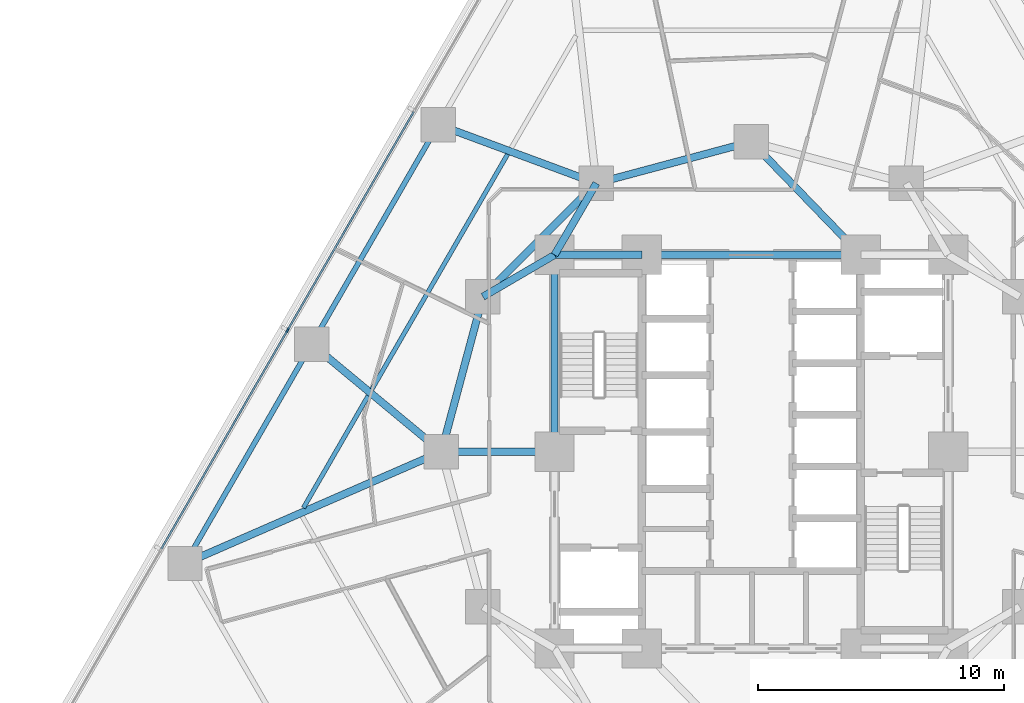
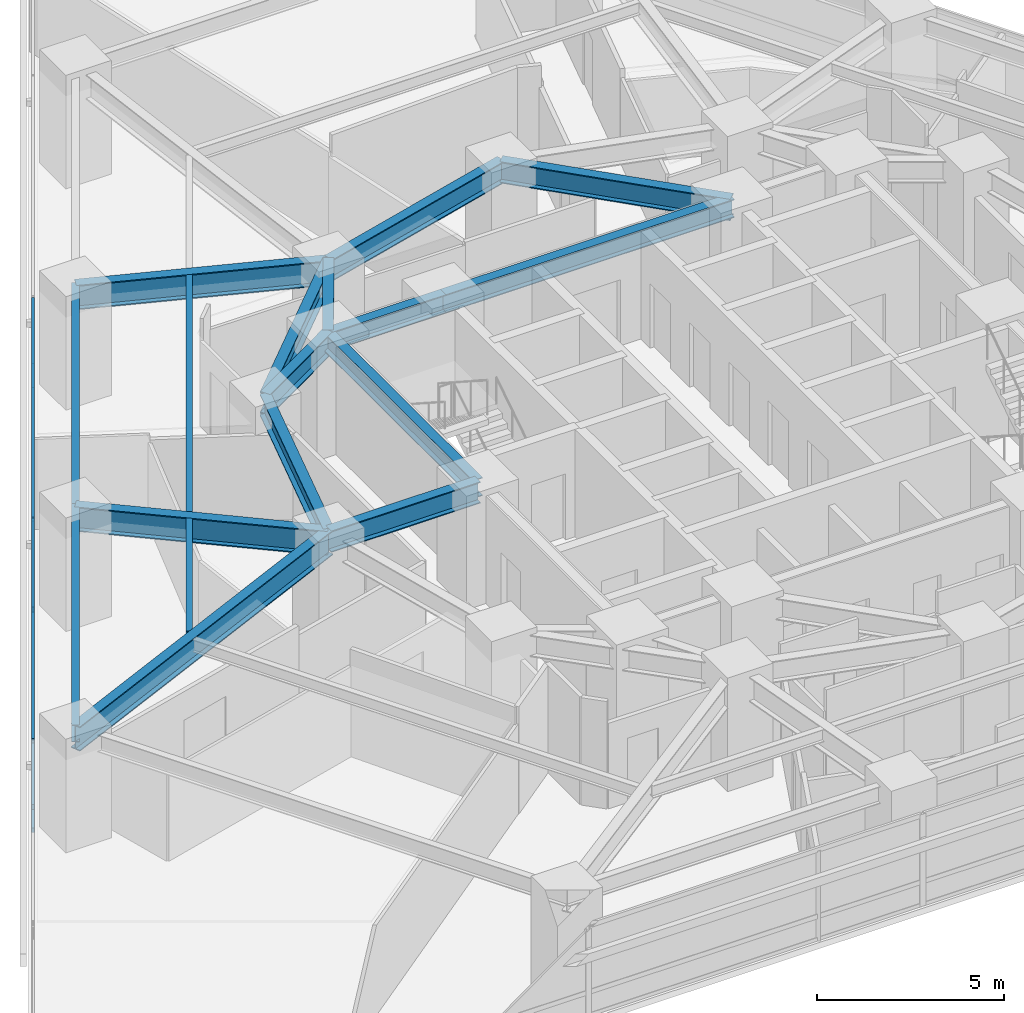
# One storey, part 3 of 15: 17 beams, 7 members, 1 element without a shape of its own.
"""IFC4 building model written with IfcOpenShell, lengths in metres."""

import ifcopenshell
import ifcopenshell.guid

model = None  # the IFC model being written
_history = None  # IfcOwnerHistory: only IFC2X3 demands one
_inside = {}  # id of a spatial element -> (the spatial element, [elements in it])
_under = {}  # id of a project, library or spatial element -> (it, [spatial elements below it])
_declared = {}  # id of a project -> (the project, [libraries it declares])
_typed = {}  # id of a type object -> (the type object, [elements of that type])
_made_of = {}  # id of a material, layer set ... -> (it, [elements and type objects made of it])


def new_model(schema):
    """Start an empty IFC model of exactly this schema.

    Asked for "IFC4X3", IfcOpenShell would pick the latest addendum, in which some entities
    have other attributes; the version numbers below select the first issue.
    IFC2X3 requires an IfcOwnerHistory on every rooted entity: one is made here for all.
    """
    global model, _history
    if schema == "IFC4X3":
        model = ifcopenshell.file(schema_version=(4, 3, 0, 0))
    else:
        model = ifcopenshell.file(schema=schema)
    _inside.clear()
    _under.clear()
    _declared.clear()
    _typed.clear()
    _made_of.clear()
    _history = None
    if model.schema == "IFC2X3":
        org = make("IfcOrganization", Name="unknown")
        user = make(
            "IfcPersonAndOrganization",
            ThePerson=make("IfcPerson", FamilyName="unknown"),
            TheOrganization=org,
        )
        app = make(
            "IfcApplication",
            ApplicationDeveloper=org,
            Version="unknown",
            ApplicationFullName="unknown",
            ApplicationIdentifier="unknown",
        )
        _history = make(
            "IfcOwnerHistory",
            OwningUser=user,
            OwningApplication=app,
            ChangeAction="ADDED",
            CreationDate=0,
        )
    return model


def make(cls, **values):
    """One entity of the class cls with the attributes given. An attribute that is None is left unset."""
    return model.create_entity(
        cls, **{name: value for name, value in values.items() if value is not None}
    )


def rooted(cls, **values):
    """An entity with a GlobalId (a new one), such as an element, a storey or a relation."""
    return make(cls, GlobalId=ifcopenshell.guid.new(), OwnerHistory=_history, **values)


def si_unit(unit_type, name, prefix=None):
    """IfcSIUnit, for example si_unit("LENGTHUNIT", "METRE", prefix="MILLI")."""
    return make("IfcSIUnit", UnitType=unit_type, Prefix=prefix, Name=name)


def assignment(units):
    """IfcUnitAssignment: the units of a project."""
    return None if units is None else make("IfcUnitAssignment", Units=units)


def point(xyz):
    """IfcCartesianPoint."""
    return None if xyz is None else make("IfcCartesianPoint", Coordinates=xyz)


def direction(xyz):
    """IfcDirection."""
    return None if xyz is None else make("IfcDirection", DirectionRatios=xyz)


def frame(location, z_axis=None, x_axis=None):
    """IfcAxis2Placement3D, a coordinate frame: its origin and axes. An axis left out is left unset."""
    return make(
        "IfcAxis2Placement3D",
        Location=point(location),
        Axis=direction(z_axis),
        RefDirection=direction(x_axis),
    )


def frame_2d(location, x_axis=None):
    """IfcAxis2Placement2D, a coordinate frame in the plane: its origin and x axis."""
    return make(
        "IfcAxis2Placement2D", Location=point(location), RefDirection=direction(x_axis)
    )


def origin():
    """The frame at (0, 0, 0) with its axes left unset."""
    return frame((0.0, 0.0, 0.0))


def origin_2d():
    """The frame at (0, 0) in the plane with its x axis left unset."""
    return frame_2d((0.0, 0.0))


def place(relative_to, where):
    """IfcLocalPlacement: puts the frame where relative to a parent placement (None: the world)."""
    return make(
        "IfcLocalPlacement", PlacementRelTo=relative_to, RelativePlacement=where
    )


def context(
    kind, dimensions, precision=None, world=None, true_north=None, identifier=None
):
    """IfcGeometricRepresentationContext, for example the 3D "Model" context."""
    return make(
        "IfcGeometricRepresentationContext",
        ContextIdentifier=identifier,
        ContextType=kind,
        CoordinateSpaceDimension=dimensions,
        Precision=precision,
        WorldCoordinateSystem=world,
        TrueNorth=true_north,
    )


def subcontext(parent, identifier, kind, view, scale=None):
    """IfcGeometricRepresentationSubContext, for example "Body" below "Model"."""
    return make(
        "IfcGeometricRepresentationSubContext",
        ContextIdentifier=identifier,
        ContextType=kind,
        ParentContext=parent,
        TargetScale=scale,
        TargetView=view,
    )


def project(units=None, contexts=None):
    """IfcProject with its units and contexts."""
    return rooted(
        "IfcProject",
        Name="project",
        RepresentationContexts=contexts,
        UnitsInContext=assignment(units),
    )


def spatial(cls, under=None, at=None, **own):
    """A site, building, storey or space (cls), placed at a placement, below another one or the project."""
    s = rooted(cls, ObjectPlacement=at, **own)
    if under is not None:
        _under.setdefault(under.id(), (under, []))[1].append(s)
    return s


def profile(cls, at=None, kind="AREA", **sizes):
    """A parametric profile (cls). Its sizes go by their IFC names, for example OverallWidth=200.0."""
    return make(cls, ProfileType=kind, Position=at, **sizes)


def rectangle(**sizes):
    """IfcRectangleProfileDef."""
    return profile("IfcRectangleProfileDef", **sizes)


def i_section(**sizes):
    """IfcIShapeProfileDef."""
    return profile("IfcIShapeProfileDef", **sizes)


def extrude(swept, where, along, depth):
    """IfcExtrudedAreaSolid: the profile swept, set in the frame where, extruded along a direction by depth."""
    return make(
        "IfcExtrudedAreaSolid",
        SweptArea=swept,
        Position=where,
        ExtrudedDirection=direction(along),
        Depth=depth,
    )


def shape(context_of_items, identifier, shape_type, items):
    """IfcShapeRepresentation: the items that make up one representation, for example the "Body"."""
    return make(
        "IfcShapeRepresentation",
        ContextOfItems=context_of_items,
        RepresentationIdentifier=identifier,
        RepresentationType=shape_type,
        Items=items,
    )


def material(Name=None, Category=None):
    """IfcMaterial."""
    return make("IfcMaterial", Name=Name, Category=Category)


def layer(
    of_material, thickness, ventilated=None, Name=None, Category=None, Priority=None
):
    """IfcMaterialLayer: one layer of a wall or slab, of a material (None: an air gap)."""
    return make(
        "IfcMaterialLayer",
        Material=of_material,
        LayerThickness=thickness,
        IsVentilated=ventilated,
        Name=Name,
        Category=Category,
        Priority=Priority,
    )


def layer_set(layers, Name=None):
    """IfcMaterialLayerSet."""
    return make("IfcMaterialLayerSet", MaterialLayers=layers, LayerSetName=Name)


def material_profile(
    of_material, cross_section, Name=None, Category=None, Priority=None
):
    """IfcMaterialProfile: a cross section and its material."""
    return make(
        "IfcMaterialProfile",
        Name=Name,
        Material=of_material,
        Profile=cross_section,
        Priority=Priority,
        Category=Category,
    )


def profile_set(profiles, Name=None, composite=None):
    """IfcMaterialProfileSet."""
    return make(
        "IfcMaterialProfileSet",
        Name=Name,
        MaterialProfiles=profiles,
        CompositeProfile=composite,
    )


def made_of(thing, what):
    """Note that an element or type object is made of a material, layer set ...; save() writes the relation."""
    if what is not None:
        _made_of.setdefault(what.id(), (what, []))[1].append(thing)
    return thing


def type_object(cls, material=None, **own):
    """A type object (cls), such as IfcWallType, which elements share."""
    return made_of(rooted(cls, **own), material)


def element(
    cls,
    number,
    at=None,
    inside=None,
    cuts=None,
    type_object=None,
    material=None,
    context=None,
    identifier="Body",
    shape_type=None,
    held_by="IfcProductDefinitionShape",
    body=None,
    shapes=None,
    **own,
):
    """One element of the class cls, such as IfcWall. Its Tag is "e" and its number.

    at: its placement. inside: the storey or other place that contains it. cuts: it is an
    opening in that element (IfcRelVoidsElement). A single representation is given by context,
    identifier, shape_type and body (its items); several are given by shapes. held_by: the class
    of the entity that holds the representations. save() writes the other relations.
    """
    e = rooted(cls, Tag="e%d" % number, ObjectPlacement=at, **own)
    if body is not None:
        shapes = [shape(context, identifier, shape_type, body)]
    if shapes is not None:
        e.Representation = make(held_by, Representations=shapes)
    if inside is not None:
        _inside.setdefault(inside.id(), (inside, []))[1].append(e)
    if cuts is not None:
        rooted(
            "IfcRelVoidsElement", RelatingBuildingElement=cuts, RelatedOpeningElement=e
        )
    if type_object is not None:
        _typed.setdefault(type_object.id(), (type_object, []))[1].append(e)
    return made_of(e, material)


def aggregate(whole, parts):
    """IfcRelAggregates: a whole, such as a stair, and the parts it consists of."""
    return rooted("IfcRelAggregates", RelatingObject=whole, RelatedObjects=parts)


def save(model, path):
    """Write the relations noted so far, then the file.

    IfcRelAggregates (storeys below a building ...), IfcRelContainedInSpatialStructure (elements
    in a storey), IfcRelDefinesByType, IfcRelAssociatesMaterial and IfcRelDeclares: one each for
    every whole, place, type object, material and project.
    """
    for whole, parts in _under.values():
        aggregate(whole, parts)
    for where, things in _inside.values():
        rooted(
            "IfcRelContainedInSpatialStructure",
            RelatedElements=things,
            RelatingStructure=where,
        )
    for kind, things in _typed.values():
        rooted("IfcRelDefinesByType", RelatedObjects=things, RelatingType=kind)
    for what, things in _made_of.values():
        rooted("IfcRelAssociatesMaterial", RelatedObjects=things, RelatingMaterial=what)
    for by, libraries in _declared.values():
        rooted("IfcRelDeclares", RelatingContext=by, RelatedDefinitions=libraries)
    model.write(path)


model = new_model("IFC4")

# Units and contexts
model_context = context("Model", 3, precision=1e-05, world=origin(), true_north=direction((0.0, 1.0)))
body_context = subcontext(model_context, "Body", "Model", "MODEL_VIEW")
ifc_project = project(units=[si_unit("LENGTHUNIT", "METRE"), si_unit("AREAUNIT", "SQUARE_METRE"), si_unit("VOLUMEUNIT", "CUBIC_METRE"), si_unit("PLANEANGLEUNIT", "RADIAN"), si_unit("MASSUNIT", "GRAM", prefix="KILO")], contexts=[model_context])

# Site, building, storey
site_placement = place(None, origin())
site = spatial("IfcSite", under=ifc_project, at=site_placement, CompositionType="ELEMENT")
building_placement = place(site_placement, origin())
building = spatial("IfcBuilding", under=site, at=building_placement, Name="Terralouvre Media Tower", CompositionType="ELEMENT")
storey_placement = place(building_placement, frame((0.0, 0.0, 48.199951171875)))
storey = spatial("IfcBuildingStorey", under=building, at=storey_placement, Name="L11", CompositionType="ELEMENT", Elevation=48.199951171875)

# Beams
ifc_material_1 = material(Name="Structural steel S355J2", Category="steel")
ifc_material_profile_1 = material_profile(ifc_material_1, i_section(OverallWidth=0.179931640625, OverallDepth=0.39990234375, WebThickness=0.008544921875, FlangeThickness=0.013427734375, at=origin_2d()), Name="IPE 400")
ifc_profile_set_1 = profile_set([ifc_material_profile_1], Name="Structural steel S355J2")
beam_type_1 = type_object("IfcBeamType", Name="Composite Floor Joist J-IPE400 (IPE 400)", PredefinedType="JOIST", material=ifc_profile_set_1)
beam_1_placement = place(storey_placement, frame((-9.90869140625, 12.091796875, 3.300048828125), z_axis=(-0.499996323086, -0.866027526641, 0.0), x_axis=(0.866027526641, -0.499996323086, 0.0)))
element("IfcBeam", 1, at=beam_1_placement, inside=storey, type_object=beam_type_1, Name="L11 Framing Beam JT-L11-11", PredefinedType="JOIST", context=body_context, shape_type="SweptSolid", body=[
    extrude(i_section(OverallWidth=0.179931640625, OverallDepth=0.39990234375, WebThickness=0.008544921875, FlangeThickness=0.013427734375, at=origin_2d()), origin(), (0.0, 0.0, 1.0), 11.03466796875),
])
beam_2_placement = place(storey_placement, frame((-15.576171875, 2.275390625, 3.300048828125), z_axis=(-0.500019514865, -0.866014136579, 0.0), x_axis=(0.866014136579, -0.500019514865, 0.0)))
element("IfcBeam", 2, at=beam_2_placement, inside=storey, type_object=beam_type_1, Name="L11 Framing Beam JT-L11-12", PredefinedType="JOIST", context=body_context, shape_type="SweptSolid", body=[
    extrude(i_section(OverallWidth=0.179931640625, OverallDepth=0.39990234375, WebThickness=0.008544921875, FlangeThickness=0.013427734375, at=origin_2d()), origin(), (0.0, 0.0, 1.0), 5.264404296875),
])

# Curtain wall, members
ifc_material_2 = material(Name="Low-iron laminated double glazing with solar-control coating", Category="glass")
ifc_layer = layer(ifc_material_2, 0.1650390625, Name="Lower Media Tower Unitised Curtain Wall CW-02")
ifc_layer_set = layer_set([ifc_layer], Name="Low-iron laminated double glazing with solar-control coating")
curtain_wall_type = type_object("IfcCurtainWallType", Name="Lower Media Tower Unitised Curtain Wall CW-02", PredefinedType="NOTDEFINED", material=ifc_layer_set)
curtain_wall_placement = place(storey_placement, origin())
curtain_wall = element("IfcCurtainWall", 3, at=curtain_wall_placement, inside=storey, type_object=curtain_wall_type, Name="L11 Facade Curtain Wall F2", PredefinedType="NOTDEFINED")
ifc_material_3 = material(Name="Anodised extruded aluminium 6063-T6", Category="aluminium")
ifc_material_profile_2 = material_profile(ifc_material_3, rectangle(XDim=0.074951171875, YDim=0.14990234375, at=origin_2d()), Name="ALU 75x150")
ifc_profile_set_2 = profile_set([ifc_material_profile_2], Name="Anodised extruded aluminium 6063-T6")
member_type_1 = type_object("IfcMemberType", Name="Curtain-Wall Horizontal Transom TR-150", PredefinedType="USERDEFINED", material=ifc_profile_set_2)
member_1_placement = place(storey_placement, frame((-13.72216796875, 13.825927734375, 0.03759765625), z_axis=(-0.50000905659, -0.866020174897, 0.0), x_axis=(0.866020174897, -0.50000905659, 0.0)))
member_1 = element("IfcMember", 4, at=member_1_placement, type_object=member_type_1, Name="CW-02 transom 3.1", ObjectType="TRANSOM", PredefinedType="USERDEFINED", context=body_context, shape_type="SweptSolid", body=[
    extrude(rectangle(XDim=0.074951171875, YDim=0.14990234375, at=origin_2d()), origin(), (0.0, 0.0, 1.0), 10.224853515625),
])
member_2_placement = place(storey_placement, frame((-13.72216796875, 13.825927734375, 0.800048828125), z_axis=(-0.50000905659, -0.866020174897, 0.0), x_axis=(0.866020174897, -0.50000905659, 0.0)))
member_2 = element("IfcMember", 5, at=member_2_placement, type_object=member_type_1, Name="CW-02 transom 3.2", ObjectType="TRANSOM", PredefinedType="USERDEFINED", context=body_context, shape_type="SweptSolid", body=[
    extrude(rectangle(XDim=0.074951171875, YDim=0.14990234375, at=origin_2d()), origin(), (0.0, 0.0, 1.0), 10.224853515625),
])
member_3_placement = place(storey_placement, frame((-13.72216796875, 13.825927734375, 2.962646484375), z_axis=(-0.50000905659, -0.866020174897, 0.0), x_axis=(0.866020174897, -0.50000905659, 0.0)))
member_3 = element("IfcMember", 6, at=member_3_placement, type_object=member_type_1, Name="CW-02 transom 3.3", ObjectType="TRANSOM", PredefinedType="USERDEFINED", context=body_context, shape_type="SweptSolid", body=[
    extrude(rectangle(XDim=0.074951171875, YDim=0.14990234375, at=origin_2d()), origin(), (0.0, 0.0, 1.0), 10.224853515625),
])
member_4_placement = place(storey_placement, frame((-18.872314453125, 4.90576171875, 0.03759765625), z_axis=(-0.499991148707, -0.866030514021, 0.0), x_axis=(0.866030514021, -0.499991148707, 0.0)))
member_4 = element("IfcMember", 7, at=member_4_placement, type_object=member_type_1, Name="CW-02 transom 4.1", ObjectType="TRANSOM", PredefinedType="USERDEFINED", context=body_context, shape_type="SweptSolid", body=[
    extrude(rectangle(XDim=0.074951171875, YDim=0.14990234375, at=origin_2d()), origin(), (0.0, 0.0, 1.0), 10.224853515625),
])
member_5_placement = place(storey_placement, frame((-18.872314453125, 4.90576171875, 0.800048828125), z_axis=(-0.499991148707, -0.866030514021, 0.0), x_axis=(0.866030514021, -0.499991148707, 0.0)))
member_5 = element("IfcMember", 8, at=member_5_placement, type_object=member_type_1, Name="CW-02 transom 4.2", ObjectType="TRANSOM", PredefinedType="USERDEFINED", context=body_context, shape_type="SweptSolid", body=[
    extrude(rectangle(XDim=0.074951171875, YDim=0.14990234375, at=origin_2d()), origin(), (0.0, 0.0, 1.0), 10.224853515625),
])
member_6_placement = place(storey_placement, frame((-18.872314453125, 4.90576171875, 2.962646484375), z_axis=(-0.499991148707, -0.866030514021, 0.0), x_axis=(0.866030514021, -0.499991148707, 0.0)))
member_6 = element("IfcMember", 9, at=member_6_placement, type_object=member_type_1, Name="CW-02 transom 4.3", ObjectType="TRANSOM", PredefinedType="USERDEFINED", context=body_context, shape_type="SweptSolid", body=[
    extrude(rectangle(XDim=0.074951171875, YDim=0.14990234375, at=origin_2d()), origin(), (0.0, 0.0, 1.0), 10.224853515625),
])
ifc_material_4 = material(Name="Anodised extruded aluminium 6063-T6", Category="aluminium")
ifc_material_profile_3 = material_profile(ifc_material_4, rectangle(XDim=0.074951171875, YDim=0.179931640625, at=origin_2d()), Name="ALU 75x180")
ifc_profile_set_3 = profile_set([ifc_material_profile_3], Name="Anodised extruded aluminium 6063-T6")
member_type_2 = type_object("IfcMemberType", Name="Curtain-Wall Vertical Mullion ML-180", PredefinedType="MULLION", material=ifc_profile_set_3)
member_7_placement = place(storey_placement, frame((-18.853515625, 4.938232421875, 0.0), z_axis=(0.0, 0.0, 1.0), x_axis=(0.866025412057, -0.499999985671, 0.0)))
member_7 = element("IfcMember", 10, at=member_7_placement, type_object=member_type_2, Name="CW-02 mullion 4", PredefinedType="MULLION", context=body_context, shape_type="SweptSolid", body=[
    extrude(rectangle(XDim=0.074951171875, YDim=0.179931640625, at=origin_2d()), origin(), (0.0, 0.0, 1.0), 3.0),
])
aggregate(curtain_wall, [member_7, member_1, member_2, member_3, member_4, member_5, member_6])

# Beams
ifc_material_5 = material(Name="Structural steel S355J2", Category="steel")
ifc_material_profile_4 = material_profile(ifc_material_5, i_section(OverallWidth=0.2099609375, OverallDepth=0.550048828125, WebThickness=0.010986328125, FlangeThickness=0.01708984375, at=origin_2d()), Name="IPE 550")
ifc_profile_set_4 = profile_set([ifc_material_profile_4], Name="Structural steel S355J2")
beam_type_2 = type_object("IfcBeamType", Name="Perimeter Spandrel Beam SPB-550 (IPE 550)", PredefinedType="SPANDREL", material=ifc_profile_set_4)
for number, where, z_axis, x_axis, name in (
    (11, (-12.724853515625, 13.29345703125, 3.22509765625), (-0.49998850195, -0.866032042085, 0.0), (0.866032042085, -0.49998850195, 0.0), "L11 Framing Beam BM-L11-PR11"),
    (12, (-17.874755859375, 4.373291015625, 3.22509765625), (-0.500016542852, -0.866015852554, 0.0), (0.866015852554, -0.500016542852, 0.0), "L11 Framing Beam BM-L11-PR12"),
):
    element("IfcBeam", number, at=place(storey_placement, frame(where, z_axis=z_axis, x_axis=x_axis)), inside=storey, type_object=beam_type_2, Name=name, PredefinedType="SPANDREL", context=body_context, shape_type="SweptSolid", body=[
        extrude(i_section(OverallWidth=0.2099609375, OverallDepth=0.550048828125, WebThickness=0.010986328125, FlangeThickness=0.01708984375, at=origin_2d()), origin(), (0.0, 0.0, 1.0), 10.300048828125),
    ])
ifc_material_6 = material(Name="Structural steel S460M", Category="steel")
ifc_material_profile_5 = material_profile(ifc_material_6, i_section(OverallWidth=0.300048828125, OverallDepth=0.60009765625, WebThickness=0.015380859375, FlangeThickness=0.030029296875, at=origin_2d()), Name="HEB 600")
ifc_profile_set_5 = profile_set([ifc_material_profile_5], Name="Structural steel S460M")
beam_type_3 = type_object("IfcBeamType", Name="Primary Floor Girder B-HEB600 (HEB 600)", PredefinedType="BEAM", material=ifc_profile_set_5)
beam_3_placement = place(storey_placement, frame((4.449951171875, 8.0, 3.199951171875), z_axis=(-1.0, 0.0, 0.0), x_axis=(0.0, -1.0, 0.0)))
element("IfcBeam", 13, at=beam_3_placement, inside=storey, type_object=beam_type_3, Name="L11 Framing Beam BM-L11-CPR07", PredefinedType="BEAM", context=body_context, shape_type="SweptSolid", body=[
    extrude(i_section(OverallWidth=0.300048828125, OverallDepth=0.60009765625, WebThickness=0.015380859375, FlangeThickness=0.030029296875, at=origin_2d()), origin(), (0.0, 0.0, 1.0), 8.89990234375),
])
beam_4_placement = place(storey_placement, frame((-4.449951171875, 8.0, 3.199951171875), z_axis=(-1.0, 0.0, 0.0), x_axis=(0.0, -1.0, 0.0)))
element("IfcBeam", 14, at=beam_4_placement, inside=storey, type_object=beam_type_3, Name="L11 Framing Beam BM-L11-CPR08", PredefinedType="BEAM", context=body_context, shape_type="SweptSolid", body=[
    extrude(i_section(OverallWidth=0.300048828125, OverallDepth=0.60009765625, WebThickness=0.015380859375, FlangeThickness=0.030029296875, at=origin_2d()), origin(), (0.0, 0.0, 1.0), 3.550048828125),
])
beam_5_placement = place(storey_placement, frame((-8.0, 8.0, 3.199951171875), z_axis=(0.0, -1.0, 0.0), x_axis=(1.0, 0.0, 0.0)))
element("IfcBeam", 15, at=beam_5_placement, inside=storey, type_object=beam_type_3, Name="L11 Framing Beam BM-L11-CPR09", PredefinedType="BEAM", context=body_context, shape_type="SweptSolid", body=[
    extrude(i_section(OverallWidth=0.300048828125, OverallDepth=0.60009765625, WebThickness=0.015380859375, FlangeThickness=0.030029296875, at=origin_2d()), origin(), (0.0, 0.0, 1.0), 8.0),
])
ifc_material_7 = material(Name="Structural steel S460M", Category="steel")
ifc_material_profile_6 = material_profile(ifc_material_7, i_section(OverallWidth=0.300048828125, OverallDepth=0.699951171875, WebThickness=0.01708984375, FlangeThickness=0.031982421875, at=origin_2d()), Name="HEB 700")
ifc_profile_set_6 = profile_set([ifc_material_profile_6], Name="Structural steel S460M")
beam_type_4 = type_object("IfcBeamType", Name="Primary Floor Girder B-HEB700 (HEB 700)", PredefinedType="BEAM", material=ifc_profile_set_6)
beam_6_placement = place(storey_placement, frame((0.0, 12.60009765625, 3.150146484375), z_axis=(-0.965920481897, -0.258838989821, 0.0), x_axis=(0.258838989821, -0.965920481897, 0.0)))
element("IfcBeam", 16, at=beam_6_placement, inside=storey, type_object=beam_type_4, Name="L11 Framing Beam BM-L11-MR09", PredefinedType="BEAM", context=body_context, shape_type="SweptSolid", body=[
    extrude(i_section(OverallWidth=0.300048828125, OverallDepth=0.699951171875, WebThickness=0.01708984375, FlangeThickness=0.031982421875, at=origin_2d()), origin(), (0.0, 0.0, 1.0), 6.522216796875),
])
beam_7_placement = place(storey_placement, frame((-6.300048828125, 10.911865234375, 3.150146484375), z_axis=(-0.707106781187, -0.707106781187, 0.0), x_axis=(0.707106781187, -0.707106781187, 0.0)))
element("IfcBeam", 17, at=beam_7_placement, inside=storey, type_object=beam_type_4, Name="L11 Framing Beam BM-L11-MR10", PredefinedType="BEAM", context=body_context, shape_type="SweptSolid", body=[
    extrude(i_section(OverallWidth=0.300048828125, OverallDepth=0.699951171875, WebThickness=0.01708984375, FlangeThickness=0.031982421875, at=origin_2d()), origin(), (0.0, 0.0, 1.0), 6.52197265625),
])
beam_8_placement = place(storey_placement, frame((-10.911865234375, 6.300048828125, 3.150146484375), z_axis=(-0.258838989821, -0.965920481897, 0.0), x_axis=(0.965920481897, -0.258838989821, 0.0)))
element("IfcBeam", 18, at=beam_8_placement, inside=storey, type_object=beam_type_4, Name="L11 Framing Beam BM-L11-MR11", PredefinedType="BEAM", context=body_context, shape_type="SweptSolid", body=[
    extrude(i_section(OverallWidth=0.300048828125, OverallDepth=0.699951171875, WebThickness=0.01708984375, FlangeThickness=0.031982421875, at=origin_2d()), origin(), (0.0, 0.0, 1.0), 6.522216796875),
])
beam_9_placement = place(storey_placement, frame((4.449951171875, 8.0, 3.150146484375), z_axis=(-0.695279715726, 0.718739255155, 0.0), x_axis=(-0.718739255155, -0.695279715726, 0.0)))
element("IfcBeam", 19, at=beam_9_placement, inside=storey, type_object=beam_type_4, Name="L11 Framing Beam BM-L11-CM09", PredefinedType="BEAM", context=body_context, shape_type="SweptSolid", body=[
    extrude(i_section(OverallWidth=0.300048828125, OverallDepth=0.699951171875, WebThickness=0.01708984375, FlangeThickness=0.031982421875, at=origin_2d()), origin(), (0.0, 0.0, 1.0), 6.400146484375),
])
for number, where, z_axis, x_axis, name in (
    (20, (-8.0, 8.0, 3.150146484375), (0.504172629717, 0.863602894532, 0.0), (-0.863602894532, 0.504172629717, 0.0), "L11 Framing Beam BM-L11-CM10"),
    (21, (-8.0, 8.0, 3.150146484375), (-0.863602894532, -0.504172629717, 0.0), (0.504172629717, -0.863602894532, 0.0), "L11 Framing Beam BM-L11-CM11"),
):
    element("IfcBeam", number, at=place(storey_placement, frame(where, z_axis=z_axis, x_axis=x_axis)), inside=storey, type_object=beam_type_4, Name=name, PredefinedType="BEAM", context=body_context, shape_type="SweptSolid", body=[
        extrude(i_section(OverallWidth=0.300048828125, OverallDepth=0.699951171875, WebThickness=0.01708984375, FlangeThickness=0.031982421875, at=origin_2d()), origin(), (0.0, 0.0, 1.0), 3.371826171875),
    ])
beam_10_placement = place(storey_placement, frame((-8.0, 0.0, 3.150146484375), z_axis=(-1.0, 0.0, 0.0), x_axis=(0.0, -1.0, 0.0)))
element("IfcBeam", 22, at=beam_10_placement, inside=storey, type_object=beam_type_4, Name="L11 Framing Beam BM-L11-CM12", PredefinedType="BEAM", context=body_context, shape_type="SweptSolid", body=[
    extrude(i_section(OverallWidth=0.300048828125, OverallDepth=0.699951171875, WebThickness=0.01708984375, FlangeThickness=0.031982421875, at=origin_2d()), origin(), (0.0, 0.0, 1.0), 4.60009765625),
])
ifc_material_8 = material(Name="Structural steel S460M", Category="steel")
ifc_material_profile_7 = material_profile(ifc_material_8, i_section(OverallWidth=0.300048828125, OverallDepth=0.800048828125, WebThickness=0.017578125, FlangeThickness=0.032958984375, at=origin_2d()), Name="HEB 800")
ifc_profile_set_7 = profile_set([ifc_material_profile_7], Name="Structural steel S460M")
beam_type_5 = type_object("IfcBeamType", Name="Primary Floor Girder B-HEB800 (HEB 800)", PredefinedType="BEAM", material=ifc_profile_set_7)
beam_11_placement = place(storey_placement, frame((-12.60009765625, 0.0, 3.10009765625), z_axis=(-0.916615903868, -0.399769039291, 0.0), x_axis=(0.399769039291, -0.916615903868, 0.0)))
element("IfcBeam", 23, at=beam_11_placement, inside=storey, type_object=beam_type_5, Name="L11 Framing Beam BM-L11-RD01", PredefinedType="BEAM", context=body_context, shape_type="SweptSolid", body=[
    extrude(i_section(OverallWidth=0.300048828125, OverallDepth=0.800048828125, WebThickness=0.017578125, FlangeThickness=0.032958984375, at=origin_2d()), origin(), (0.0, 0.0, 1.0), 11.373046875),
])
beam_12_placement = place(storey_placement, frame((-6.300048828125, 10.911865234375, 3.10009765625), z_axis=(-0.937652019179, 0.347575446386, 0.0), x_axis=(-0.347575446386, -0.937652019179, 0.0)))
element("IfcBeam", 24, at=beam_12_placement, inside=storey, type_object=beam_type_5, Name="L11 Framing Beam BM-L11-RD11", PredefinedType="BEAM", context=body_context, shape_type="SweptSolid", body=[
    extrude(i_section(OverallWidth=0.300048828125, OverallDepth=0.800048828125, WebThickness=0.017578125, FlangeThickness=0.032958984375, at=origin_2d()), origin(), (0.0, 0.0, 1.0), 6.85205078125),
])
beam_13_placement = place(storey_placement, frame((-12.60009765625, 0.0, 3.10009765625), z_axis=(-0.769816459478, 0.638265320001, 0.0), x_axis=(-0.638265320001, -0.769816459478, 0.0)))
element("IfcBeam", 25, at=beam_13_placement, inside=storey, type_object=beam_type_5, Name="L11 Framing Beam BM-L11-RD12", PredefinedType="BEAM", context=body_context, shape_type="SweptSolid", body=[
    extrude(i_section(OverallWidth=0.300048828125, OverallDepth=0.800048828125, WebThickness=0.017578125, FlangeThickness=0.032958984375, at=origin_2d()), origin(), (0.0, 0.0, 1.0), 6.851806640625),
])

save(model, "model.ifc")
